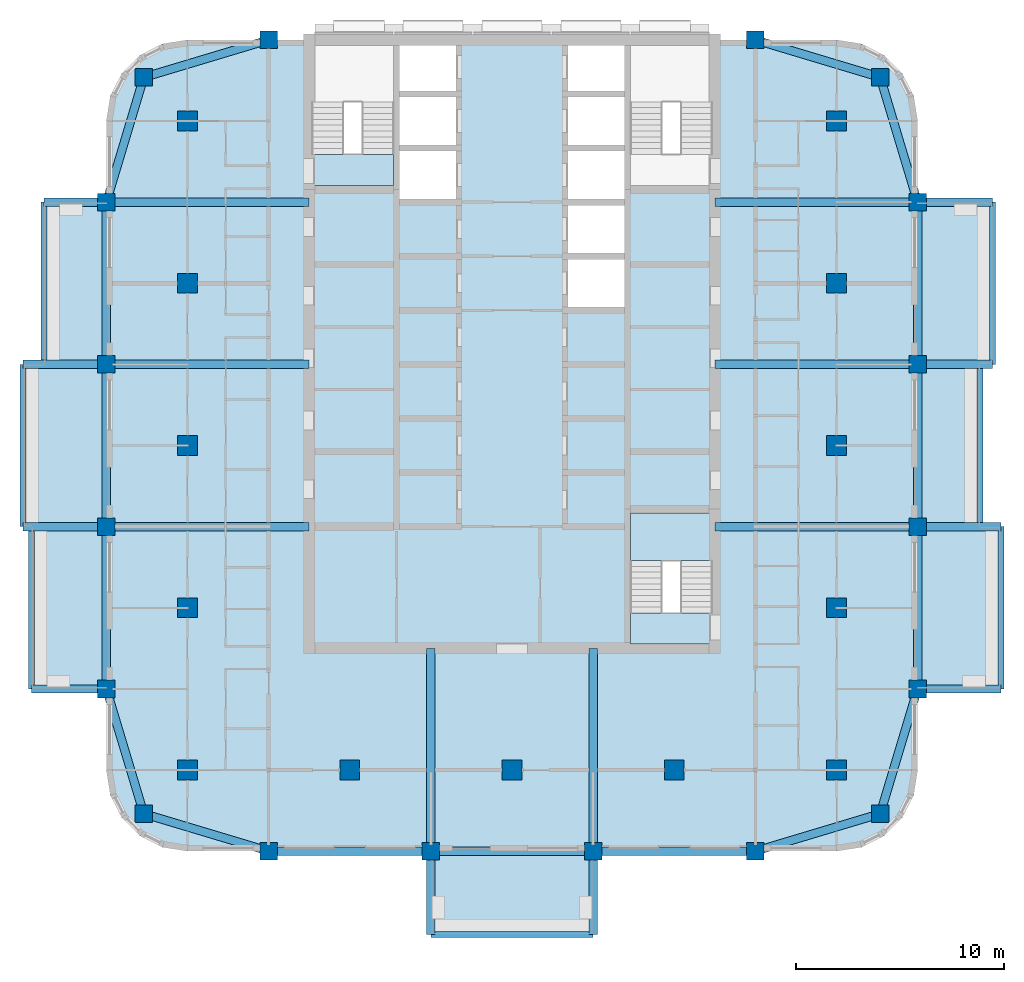
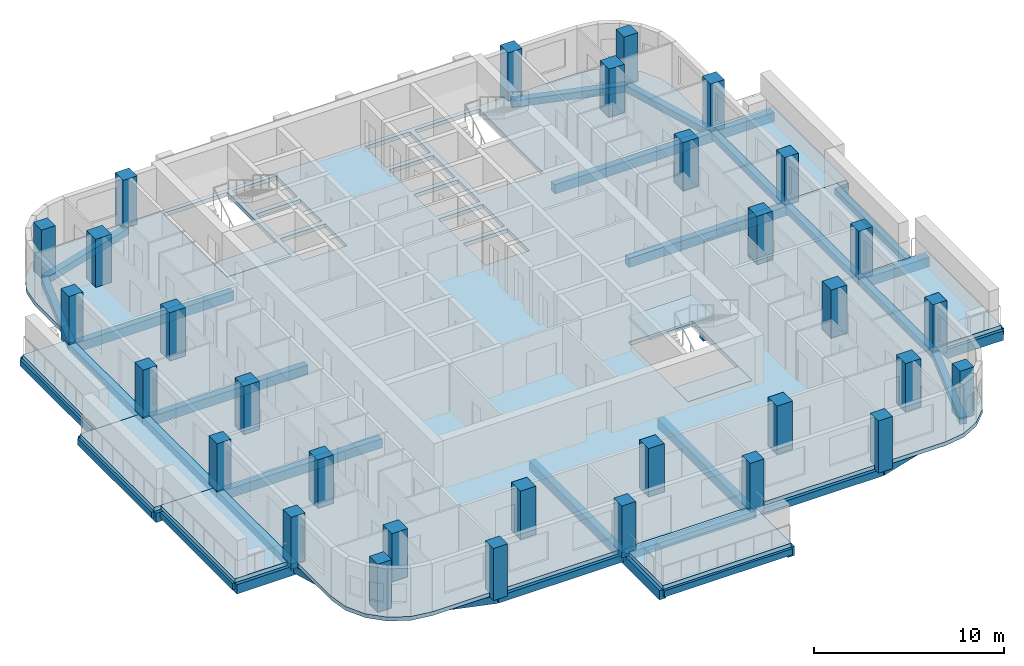
# One storey, part 1 of 14: 42 beams, 31 columns, 11 slabs, 2 elements without a shape of their own.
"""IFC4 building model written with IfcOpenShell, lengths in metres."""

from ifc_helpers import new_model, si_unit, direction, frame, origin, origin_2d, place, context, subcontext, project, spatial, polyline, rectangle, outline, extrude, material, layer, layer_set, material_profile, profile_set, type_object, element, aggregate, save


model = new_model("IFC4")

# Units and contexts
model_context = context("Model", 3, precision=1e-05, world=origin(), true_north=direction((0.0, 1.0)))
body_context = subcontext(model_context, "Body", "Model", "MODEL_VIEW")
ifc_project = project(units=[si_unit("LENGTHUNIT", "METRE"), si_unit("AREAUNIT", "SQUARE_METRE"), si_unit("VOLUMEUNIT", "CUBIC_METRE"), si_unit("PLANEANGLEUNIT", "RADIAN"), si_unit("MASSUNIT", "GRAM", prefix="KILO")], contexts=[model_context])

# Site, building, storey
site_placement = place(None, origin())
site = spatial("IfcSite", under=ifc_project, at=site_placement, CompositionType="ELEMENT")
building_placement = place(site_placement, origin())
building = spatial("IfcBuilding", under=site, at=building_placement, Name="Ludao Terraces", CompositionType="ELEMENT")
storey_placement = place(building_placement, frame((0.0, 0.0, 140.699951171875)))
storey = spatial("IfcBuildingStorey", under=building, at=storey_placement, Name="L38", CompositionType="ELEMENT", Elevation=140.699951171875)

# Columns
ifc_material_1 = material(Name="Concrete C50", Category="concrete")
ifc_material_profile_1 = material_profile(ifc_material_1, rectangle(XDim=0.85009765625, YDim=0.85009765625, at=origin_2d()), Name="850 X 850")
ifc_profile_set_1 = profile_set([ifc_material_profile_1], Name="Concrete C50")
column_type_1 = type_object("IfcColumnType", Name="RC column 850x850 C50", PredefinedType="COLUMN", material=ifc_profile_set_1)
for number, where, z_axis, x_axis, name in (
    (1, (67.300048828125, 47.300048828125, -0.25), (0.0, 0.0, 1.0), (1.0, 0.0, 0.0), "Column L38 C0057x0057"),
    (2, (102.699951171875, 47.300048828125, -0.25), (0.0, 0.0, 1.0), (1.0, 0.0, 0.0), "Column L38 C0411x0057"),
    (3, (67.300048828125, 82.699951171875, -0.25), (0.0, 0.0, 1.0), (1.0, 0.0, 0.0), "Column L38 C0057x0411"),
    (4, (102.699951171875, 82.699951171875, -0.25), (0.0, 0.0, 1.0), (1.0, 0.0, 0.0), "Column L38 C0411x0411"),
    (5, (65.5, 53.300048828125, -0.25), (0.0, 0.0, 1.0), (1.0, 0.0, 0.0), "Column L38 W0039x0117"),
    (6, (104.5, 53.300048828125, -0.25), (0.0, 0.0, 1.0), (1.0, 0.0, 0.0), "Column L38 W0429x0117"),
    (7, (73.300048828125, 45.5, -0.25), (0.0, 0.0, 1.0), (1.0, 0.0, 0.0), "Column L38 W0117x0039"),
    (8, (73.300048828125, 84.5, -0.25), (0.0, 0.0, 1.0), (1.0, 0.0, 0.0), "Column L38 W0117x0429"),
    (9, (65.5, 61.10009765625, -0.25), (0.0, 0.0, 1.0), (1.0, 0.0, 0.0), "Column L38 W0039x0195"),
    (10, (104.5, 61.10009765625, -0.25), (0.0, 0.0, 1.0), (1.0, 0.0, 0.0), "Column L38 W0429x0195"),
    (11, (81.10009765625, 45.5, -0.25), (0.0, 0.0, 1.0), (1.0, 0.0, 0.0), "Column L38 W0195x0039"),
    (12, (65.5, 68.89990234375, -0.25), (0.0, 0.0, 1.0), (1.0, 0.0, 0.0), "Column L38 W0039x0273"),
    (13, (104.5, 68.89990234375, -0.25), (0.0, 0.0, 1.0), (1.0, 0.0, 0.0), "Column L38 W0429x0273"),
    (14, (88.89990234375, 45.5, -0.25), (0.0, 0.0, 1.0), (1.0, 0.0, 0.0), "Column L38 W0273x0039"),
    (15, (65.5, 76.699951171875, -0.25), (0.0, 0.0, 1.0), (1.0, 0.0, 0.0), "Column L38 W0039x0351"),
    (16, (104.5, 76.699951171875, -0.25), (0.0, 0.0, 1.0), (1.0, 0.0, 0.0), "Column L38 W0429x0351"),
    (17, (96.699951171875, 45.5, -0.25), (0.0, 0.0, 1.0), (1.0, 0.0, 0.0), "Column L38 W0351x0039"),
    (18, (96.699951171875, 84.5, -0.25), (0.0, 0.0, 1.0), (1.0, 0.0, 0.0), "Column L38 W0351x0429"),
):
    element("IfcColumn", number, at=place(storey_placement, frame(where, z_axis=z_axis, x_axis=x_axis)), inside=storey, type_object=column_type_1, Name=name, PredefinedType="COLUMN", context=body_context, shape_type="SweptSolid", body=[
        extrude(rectangle(XDim=0.85009765625, YDim=0.85009765625, at=origin_2d()), origin(), (0.0, 0.0, 1.0), 3.35009765625),
    ])
ifc_material_profile_2 = material_profile(ifc_material_1, rectangle(XDim=0.949951171875, YDim=0.949951171875, at=origin_2d()), Name="950 X 950")
ifc_profile_set_2 = profile_set([ifc_material_profile_2], Name="Concrete C50")
column_type_2 = type_object("IfcColumnType", Name="RC column 950x950 C50", PredefinedType="COLUMN", material=ifc_profile_set_2)
for number, where, z_axis, x_axis, name in (
    (19, (69.39990234375, 49.39990234375, -0.25), (0.0, 0.0, 1.0), (1.0, 0.0, 0.0), "Column L38 S0078x0078"),
    (20, (69.39990234375, 57.199951171875, -0.25), (0.0, 0.0, 1.0), (1.0, 0.0, 0.0), "Column L38 S0078x0156"),
    (21, (69.39990234375, 65.0, -0.25), (0.0, 0.0, 1.0), (1.0, 0.0, 0.0), "Column L38 S0078x0234"),
    (22, (69.39990234375, 72.800048828125, -0.25), (0.0, 0.0, 1.0), (1.0, 0.0, 0.0), "Column L38 S0078x0312"),
    (23, (69.39990234375, 80.60009765625, -0.25), (0.0, 0.0, 1.0), (1.0, 0.0, 0.0), "Column L38 S0078x0390"),
    (24, (77.199951171875, 49.39990234375, -0.25), (0.0, 0.0, 1.0), (1.0, 0.0, 0.0), "Column L38 S0156x0078"),
    (25, (85.0, 49.39990234375, -0.25), (0.0, 0.0, 1.0), (1.0, 0.0, 0.0), "Column L38 S0234x0078"),
    (26, (92.800048828125, 49.39990234375, -0.25), (0.0, 0.0, 1.0), (1.0, 0.0, 0.0), "Column L38 S0312x0078"),
    (27, (100.60009765625, 49.39990234375, -0.25), (0.0, 0.0, 1.0), (1.0, 0.0, 0.0), "Column L38 S0390x0078"),
    (28, (100.60009765625, 57.199951171875, -0.25), (0.0, 0.0, 1.0), (1.0, 0.0, 0.0), "Column L38 S0390x0156"),
    (29, (100.60009765625, 65.0, -0.25), (0.0, 0.0, 1.0), (1.0, 0.0, 0.0), "Column L38 S0390x0234"),
    (30, (100.60009765625, 72.800048828125, -0.25), (0.0, 0.0, 1.0), (1.0, 0.0, 0.0), "Column L38 S0390x0312"),
    (31, (100.60009765625, 80.60009765625, -0.25), (0.0, 0.0, 1.0), (1.0, 0.0, 0.0), "Column L38 S0390x0390"),
):
    element("IfcColumn", number, at=place(storey_placement, frame(where, z_axis=z_axis, x_axis=x_axis)), inside=storey, type_object=column_type_2, Name=name, PredefinedType="COLUMN", context=body_context, shape_type="SweptSolid", body=[
        extrude(rectangle(XDim=0.949951171875, YDim=0.949951171875, at=origin_2d()), origin(), (0.0, 0.0, 1.0), 3.35009765625),
    ])

# Beams
ifc_material_2 = material(Name="Concrete C40", Category="concrete")
ifc_material_profile_3 = material_profile(ifc_material_2, rectangle(XDim=0.300048828125, YDim=0.39990234375, at=origin_2d()), Name="300 X 400")
ifc_profile_set_3 = profile_set([ifc_material_profile_3], Name="Concrete C40")
beam_type_1 = type_object("IfcBeamType", Name="RC beam 300x400 C40", PredefinedType="BEAM", material=ifc_profile_set_3)
beam_1_placement = place(storey_placement, frame((81.10009765625, 41.5, -0.449951171875), z_axis=(1.0, 0.0, 0.0), x_axis=(0.0, 1.0, 0.0)))
element("IfcBeam", 32, at=beam_1_placement, inside=storey, type_object=beam_type_1, Name="Balcony edge beam L38 S1", PredefinedType="BEAM", context=body_context, shape_type="SweptSolid", body=[
    extrude(rectangle(XDim=0.300048828125, YDim=0.39990234375, at=origin_2d()), origin(), (0.0, 0.0, 1.0), 7.7998046875),
])
beam_2_placement = place(storey_placement, frame((108.5, 53.300048828125, -0.449951171875), z_axis=(0.0, 1.0, 0.0), x_axis=(-1.0, 0.0, 0.0)))
element("IfcBeam", 33, at=beam_2_placement, inside=storey, type_object=beam_type_1, Name="Balcony edge beam L38 E1", PredefinedType="BEAM", context=body_context, shape_type="SweptSolid", body=[
    extrude(rectangle(XDim=0.300048828125, YDim=0.39990234375, at=origin_2d()), origin(), (0.0, 0.0, 1.0), 7.800048828125),
])
beam_3_placement = place(storey_placement, frame((107.5, 61.10009765625, -0.449951171875), z_axis=(0.0, 1.0, 0.0), x_axis=(-1.0, 0.0, 0.0)))
element("IfcBeam", 34, at=beam_3_placement, inside=storey, type_object=beam_type_1, Name="Balcony edge beam L38 E2", PredefinedType="BEAM", context=body_context, shape_type="SweptSolid", body=[
    extrude(rectangle(XDim=0.300048828125, YDim=0.39990234375, at=origin_2d()), origin(), (0.0, 0.0, 1.0), 7.7998046875),
])
for number, where, z_axis, x_axis, name in (
    (35, (108.10009765625, 68.89990234375, -0.449951171875), (0.0, 1.0, 0.0), (-1.0, 0.0, 0.0), "Balcony edge beam L38 E3"),
    (36, (61.89990234375, 53.300048828125, -0.449951171875), (0.0, 1.0, 0.0), (-1.0, 0.0, 0.0), "Balcony edge beam L38 W1"),
):
    element("IfcBeam", number, at=place(storey_placement, frame(where, z_axis=z_axis, x_axis=x_axis)), inside=storey, type_object=beam_type_1, Name=name, PredefinedType="BEAM", context=body_context, shape_type="SweptSolid", body=[
        extrude(rectangle(XDim=0.300048828125, YDim=0.39990234375, at=origin_2d()), origin(), (0.0, 0.0, 1.0), 7.800048828125),
    ])
beam_4_placement = place(storey_placement, frame((61.5, 61.10009765625, -0.449951171875), z_axis=(0.0, 1.0, 0.0), x_axis=(-1.0, 0.0, 0.0)))
element("IfcBeam", 37, at=beam_4_placement, inside=storey, type_object=beam_type_1, Name="Balcony edge beam L38 W2", PredefinedType="BEAM", context=body_context, shape_type="SweptSolid", body=[
    extrude(rectangle(XDim=0.300048828125, YDim=0.39990234375, at=origin_2d()), origin(), (0.0, 0.0, 1.0), 7.7998046875),
])
beam_5_placement = place(storey_placement, frame((62.5, 68.89990234375, -0.449951171875), z_axis=(0.0, 1.0, 0.0), x_axis=(-1.0, 0.0, 0.0)))
element("IfcBeam", 38, at=beam_5_placement, inside=storey, type_object=beam_type_1, Name="Balcony edge beam L38 W3", PredefinedType="BEAM", context=body_context, shape_type="SweptSolid", body=[
    extrude(rectangle(XDim=0.300048828125, YDim=0.39990234375, at=origin_2d()), origin(), (0.0, 0.0, 1.0), 7.800048828125),
])
ifc_material_profile_4 = material_profile(ifc_material_2, rectangle(XDim=0.39990234375, YDim=0.449951171875, at=origin_2d()), Name="400 X 450")
ifc_profile_set_4 = profile_set([ifc_material_profile_4], Name="Concrete C40")
beam_type_2 = type_object("IfcBeamType", Name="RC beam 400x450 C40", PredefinedType="BEAM", material=ifc_profile_set_4)
beam_6_placement = place(storey_placement, frame((67.300048828125, 47.300048828125, -0.474853515625), z_axis=(0.957824139839, -0.287355036744, 0.0), x_axis=(0.287355036744, 0.957824139839, 0.0)))
element("IfcBeam", 39, at=beam_6_placement, inside=storey, type_object=beam_type_2, Name="Spandrel beam L38 S1", PredefinedType="BEAM", context=body_context, shape_type="SweptSolid", body=[
    extrude(rectangle(XDim=0.39990234375, YDim=0.449951171875, at=origin_2d()), origin(), (0.0, 0.0, 1.0), 6.26416015625),
])
beam_7_placement = place(storey_placement, frame((73.300048828125, 45.5, -0.474853515625), z_axis=(1.0, 0.0, 0.0), x_axis=(0.0, 1.0, 0.0)))
element("IfcBeam", 40, at=beam_7_placement, inside=storey, type_object=beam_type_2, Name="Spandrel beam L38 S2", PredefinedType="BEAM", context=body_context, shape_type="SweptSolid", body=[
    extrude(rectangle(XDim=0.39990234375, YDim=0.449951171875, at=origin_2d()), origin(), (0.0, 0.0, 1.0), 7.800048828125),
])
beam_8_placement = place(storey_placement, frame((81.10009765625, 45.5, -0.474853515625), z_axis=(1.0, 0.0, 0.0), x_axis=(0.0, 1.0, 0.0)))
element("IfcBeam", 41, at=beam_8_placement, inside=storey, type_object=beam_type_2, Name="Spandrel beam L38 S3", PredefinedType="BEAM", context=body_context, shape_type="SweptSolid", body=[
    extrude(rectangle(XDim=0.39990234375, YDim=0.449951171875, at=origin_2d()), origin(), (0.0, 0.0, 1.0), 7.7998046875),
])
beam_9_placement = place(storey_placement, frame((88.89990234375, 45.5, -0.474853515625), z_axis=(1.0, 0.0, 0.0), x_axis=(0.0, 1.0, 0.0)))
element("IfcBeam", 42, at=beam_9_placement, inside=storey, type_object=beam_type_2, Name="Spandrel beam L38 S4", PredefinedType="BEAM", context=body_context, shape_type="SweptSolid", body=[
    extrude(rectangle(XDim=0.39990234375, YDim=0.449951171875, at=origin_2d()), origin(), (0.0, 0.0, 1.0), 7.800048828125),
])
for number, where, z_axis, x_axis, name in (
    (43, (96.699951171875, 45.5, -0.474853515625), (0.957824139839, 0.287355036744, 0.0), (-0.287355036744, 0.957824139839, 0.0), "Spandrel beam L38 S5"),
    (44, (67.300048828125, 82.699951171875, -0.474853515625), (0.957824139839, 0.287355036744, 0.0), (-0.287355036744, 0.957824139839, 0.0), "Spandrel beam L38 N6"),
    (45, (96.699951171875, 84.5, -0.474853515625), (0.957824139839, -0.287355036744, 0.0), (0.287355036744, 0.957824139839, 0.0), "Spandrel beam L38 N7"),
    (46, (67.300048828125, 47.300048828125, -0.474853515625), (-0.287355036744, 0.957824139839, 0.0), (-0.957824139839, -0.287355036744, 0.0), "Spandrel beam L38 W8"),
):
    element("IfcBeam", number, at=place(storey_placement, frame(where, z_axis=z_axis, x_axis=x_axis)), inside=storey, type_object=beam_type_2, Name=name, PredefinedType="BEAM", context=body_context, shape_type="SweptSolid", body=[
        extrude(rectangle(XDim=0.39990234375, YDim=0.449951171875, at=origin_2d()), origin(), (0.0, 0.0, 1.0), 6.26416015625),
    ])
beam_10_placement = place(storey_placement, frame((65.5, 53.300048828125, -0.474853515625), z_axis=(0.0, 1.0, 0.0), x_axis=(-1.0, 0.0, 0.0)))
element("IfcBeam", 47, at=beam_10_placement, inside=storey, type_object=beam_type_2, Name="Spandrel beam L38 W9", PredefinedType="BEAM", context=body_context, shape_type="SweptSolid", body=[
    extrude(rectangle(XDim=0.39990234375, YDim=0.449951171875, at=origin_2d()), origin(), (0.0, 0.0, 1.0), 7.800048828125),
])
beam_11_placement = place(storey_placement, frame((65.5, 61.10009765625, -0.474853515625), z_axis=(0.0, 1.0, 0.0), x_axis=(-1.0, 0.0, 0.0)))
element("IfcBeam", 48, at=beam_11_placement, inside=storey, type_object=beam_type_2, Name="Spandrel beam L38 W10", PredefinedType="BEAM", context=body_context, shape_type="SweptSolid", body=[
    extrude(rectangle(XDim=0.39990234375, YDim=0.449951171875, at=origin_2d()), origin(), (0.0, 0.0, 1.0), 7.7998046875),
])
beam_12_placement = place(storey_placement, frame((65.5, 68.89990234375, -0.474853515625), z_axis=(0.0, 1.0, 0.0), x_axis=(-1.0, 0.0, 0.0)))
element("IfcBeam", 49, at=beam_12_placement, inside=storey, type_object=beam_type_2, Name="Spandrel beam L38 W11", PredefinedType="BEAM", context=body_context, shape_type="SweptSolid", body=[
    extrude(rectangle(XDim=0.39990234375, YDim=0.449951171875, at=origin_2d()), origin(), (0.0, 0.0, 1.0), 7.800048828125),
])
for number, where, z_axis, x_axis, name in (
    (50, (65.5, 76.699951171875, -0.474853515625), (0.287355036744, 0.957824139839, 0.0), (-0.957824139839, 0.287355036744, 0.0), "Spandrel beam L38 W12"),
    (51, (102.699951171875, 47.300048828125, -0.474853515625), (0.287355036744, 0.957824139839, 0.0), (-0.957824139839, 0.287355036744, 0.0), "Spandrel beam L38 E13"),
):
    element("IfcBeam", number, at=place(storey_placement, frame(where, z_axis=z_axis, x_axis=x_axis)), inside=storey, type_object=beam_type_2, Name=name, PredefinedType="BEAM", context=body_context, shape_type="SweptSolid", body=[
        extrude(rectangle(XDim=0.39990234375, YDim=0.449951171875, at=origin_2d()), origin(), (0.0, 0.0, 1.0), 6.26416015625),
    ])
beam_13_placement = place(storey_placement, frame((104.5, 53.300048828125, -0.474853515625), z_axis=(0.0, 1.0, 0.0), x_axis=(-1.0, 0.0, 0.0)))
element("IfcBeam", 52, at=beam_13_placement, inside=storey, type_object=beam_type_2, Name="Spandrel beam L38 E14", PredefinedType="BEAM", context=body_context, shape_type="SweptSolid", body=[
    extrude(rectangle(XDim=0.39990234375, YDim=0.449951171875, at=origin_2d()), origin(), (0.0, 0.0, 1.0), 7.800048828125),
])
beam_14_placement = place(storey_placement, frame((104.5, 61.10009765625, -0.474853515625), z_axis=(0.0, 1.0, 0.0), x_axis=(-1.0, 0.0, 0.0)))
element("IfcBeam", 53, at=beam_14_placement, inside=storey, type_object=beam_type_2, Name="Spandrel beam L38 E15", PredefinedType="BEAM", context=body_context, shape_type="SweptSolid", body=[
    extrude(rectangle(XDim=0.39990234375, YDim=0.449951171875, at=origin_2d()), origin(), (0.0, 0.0, 1.0), 7.7998046875),
])
beam_15_placement = place(storey_placement, frame((104.5, 68.89990234375, -0.474853515625), z_axis=(0.0, 1.0, 0.0), x_axis=(-1.0, 0.0, 0.0)))
element("IfcBeam", 54, at=beam_15_placement, inside=storey, type_object=beam_type_2, Name="Spandrel beam L38 E16", PredefinedType="BEAM", context=body_context, shape_type="SweptSolid", body=[
    extrude(rectangle(XDim=0.39990234375, YDim=0.449951171875, at=origin_2d()), origin(), (0.0, 0.0, 1.0), 7.800048828125),
])
beam_16_placement = place(storey_placement, frame((104.5, 76.699951171875, -0.474853515625), z_axis=(-0.287355036744, 0.957824139839, 0.0), x_axis=(-0.957824139839, -0.287355036744, 0.0)))
element("IfcBeam", 55, at=beam_16_placement, inside=storey, type_object=beam_type_2, Name="Spandrel beam L38 E17", PredefinedType="BEAM", context=body_context, shape_type="SweptSolid", body=[
    extrude(rectangle(XDim=0.39990234375, YDim=0.449951171875, at=origin_2d()), origin(), (0.0, 0.0, 1.0), 6.26416015625),
])
ifc_material_profile_5 = material_profile(ifc_material_2, rectangle(XDim=0.39990234375, YDim=0.60009765625, at=origin_2d()), Name="400 X 600")
ifc_profile_set_5 = profile_set([ifc_material_profile_5], Name="Concrete C40")
beam_type_3 = type_object("IfcBeamType", Name="RC beam 400x600 C40", PredefinedType="BEAM", material=ifc_profile_set_5)
beam_17_placement = place(storey_placement, frame((104.5, 53.300048828125, -0.550048828125), z_axis=(1.0, 0.0, 0.0), x_axis=(0.0, 1.0, 0.0)))
element("IfcBeam", 56, at=beam_17_placement, inside=storey, type_object=beam_type_3, Name="Balcony beam L38 E533", PredefinedType="BEAM", context=body_context, shape_type="SweptSolid", body=[
    extrude(rectangle(XDim=0.39990234375, YDim=0.60009765625, at=origin_2d()), origin(), (0.0, 0.0, 1.0), 4.0),
])
beam_18_placement = place(storey_placement, frame((94.75, 61.10009765625, -0.550048828125), z_axis=(1.0, 0.0, 0.0), x_axis=(0.0, 1.0, 0.0)))
element("IfcBeam", 57, at=beam_18_placement, inside=storey, type_object=beam_type_3, Name="Balcony beam L38 E611", PredefinedType="BEAM", context=body_context, shape_type="SweptSolid", body=[
    extrude(rectangle(XDim=0.39990234375, YDim=0.60009765625, at=origin_2d()), origin(), (0.0, 0.0, 1.0), 9.75),
])
beam_19_placement = place(storey_placement, frame((104.5, 61.10009765625, -0.550048828125), z_axis=(1.0, 0.0, 0.0), x_axis=(0.0, 1.0, 0.0)))
element("IfcBeam", 58, at=beam_19_placement, inside=storey, type_object=beam_type_3, Name="Balcony beam L38 E611", PredefinedType="BEAM", context=body_context, shape_type="SweptSolid", body=[
    extrude(rectangle(XDim=0.39990234375, YDim=0.60009765625, at=origin_2d()), origin(), (0.0, 0.0, 1.0), 4.0),
])
beam_20_placement = place(storey_placement, frame((94.75, 68.89990234375, -0.550048828125), z_axis=(1.0, 0.0, 0.0), x_axis=(0.0, 1.0, 0.0)))
element("IfcBeam", 59, at=beam_20_placement, inside=storey, type_object=beam_type_3, Name="Balcony beam L38 E689", PredefinedType="BEAM", context=body_context, shape_type="SweptSolid", body=[
    extrude(rectangle(XDim=0.39990234375, YDim=0.60009765625, at=origin_2d()), origin(), (0.0, 0.0, 1.0), 9.75),
])
beam_21_placement = place(storey_placement, frame((104.5, 68.89990234375, -0.550048828125), z_axis=(1.0, 0.0, 0.0), x_axis=(0.0, 1.0, 0.0)))
element("IfcBeam", 60, at=beam_21_placement, inside=storey, type_object=beam_type_3, Name="Balcony beam L38 E689", PredefinedType="BEAM", context=body_context, shape_type="SweptSolid", body=[
    extrude(rectangle(XDim=0.39990234375, YDim=0.60009765625, at=origin_2d()), origin(), (0.0, 0.0, 1.0), 3.60009765625),
])
beam_22_placement = place(storey_placement, frame((94.75, 76.699951171875, -0.550048828125), z_axis=(1.0, 0.0, 0.0), x_axis=(0.0, 1.0, 0.0)))
element("IfcBeam", 61, at=beam_22_placement, inside=storey, type_object=beam_type_3, Name="Balcony beam L38 E767", PredefinedType="BEAM", context=body_context, shape_type="SweptSolid", body=[
    extrude(rectangle(XDim=0.39990234375, YDim=0.60009765625, at=origin_2d()), origin(), (0.0, 0.0, 1.0), 9.75),
])
beam_23_placement = place(storey_placement, frame((104.5, 76.699951171875, -0.550048828125), z_axis=(1.0, 0.0, 0.0), x_axis=(0.0, 1.0, 0.0)))
element("IfcBeam", 62, at=beam_23_placement, inside=storey, type_object=beam_type_3, Name="Balcony beam L38 E767", PredefinedType="BEAM", context=body_context, shape_type="SweptSolid", body=[
    extrude(rectangle(XDim=0.39990234375, YDim=0.60009765625, at=origin_2d()), origin(), (0.0, 0.0, 1.0), 3.60009765625),
])
beam_24_placement = place(storey_placement, frame((81.10009765625, 55.25, -0.550048828125), z_axis=(0.0, -1.0, 0.0), x_axis=(1.0, 0.0, 0.0)))
element("IfcBeam", 63, at=beam_24_placement, inside=storey, type_object=beam_type_3, Name="Balcony beam L38 S811", PredefinedType="BEAM", context=body_context, shape_type="SweptSolid", body=[
    extrude(rectangle(XDim=0.39990234375, YDim=0.60009765625, at=origin_2d()), origin(), (0.0, 0.0, 1.0), 9.75),
])
beam_25_placement = place(storey_placement, frame((81.10009765625, 45.5, -0.550048828125), z_axis=(0.0, -1.0, 0.0), x_axis=(1.0, 0.0, 0.0)))
element("IfcBeam", 64, at=beam_25_placement, inside=storey, type_object=beam_type_3, Name="Balcony beam L38 S811", PredefinedType="BEAM", context=body_context, shape_type="SweptSolid", body=[
    extrude(rectangle(XDim=0.39990234375, YDim=0.60009765625, at=origin_2d()), origin(), (0.0, 0.0, 1.0), 4.0),
])
beam_26_placement = place(storey_placement, frame((88.89990234375, 55.25, -0.550048828125), z_axis=(0.0, -1.0, 0.0), x_axis=(1.0, 0.0, 0.0)))
element("IfcBeam", 65, at=beam_26_placement, inside=storey, type_object=beam_type_3, Name="Balcony beam L38 S889", PredefinedType="BEAM", context=body_context, shape_type="SweptSolid", body=[
    extrude(rectangle(XDim=0.39990234375, YDim=0.60009765625, at=origin_2d()), origin(), (0.0, 0.0, 1.0), 9.75),
])
beam_27_placement = place(storey_placement, frame((88.89990234375, 45.5, -0.550048828125), z_axis=(0.0, -1.0, 0.0), x_axis=(1.0, 0.0, 0.0)))
element("IfcBeam", 66, at=beam_27_placement, inside=storey, type_object=beam_type_3, Name="Balcony beam L38 S889", PredefinedType="BEAM", context=body_context, shape_type="SweptSolid", body=[
    extrude(rectangle(XDim=0.39990234375, YDim=0.60009765625, at=origin_2d()), origin(), (0.0, 0.0, 1.0), 4.0),
])
beam_28_placement = place(storey_placement, frame((65.5, 53.300048828125, -0.550048828125), z_axis=(-1.0, 0.0, 0.0), x_axis=(0.0, -1.0, 0.0)))
element("IfcBeam", 67, at=beam_28_placement, inside=storey, type_object=beam_type_3, Name="Balcony beam L38 W533", PredefinedType="BEAM", context=body_context, shape_type="SweptSolid", body=[
    extrude(rectangle(XDim=0.39990234375, YDim=0.60009765625, at=origin_2d()), origin(), (0.0, 0.0, 1.0), 3.60009765625),
])
beam_29_placement = place(storey_placement, frame((75.25, 61.10009765625, -0.550048828125), z_axis=(-1.0, 0.0, 0.0), x_axis=(0.0, -1.0, 0.0)))
element("IfcBeam", 68, at=beam_29_placement, inside=storey, type_object=beam_type_3, Name="Balcony beam L38 W611", PredefinedType="BEAM", context=body_context, shape_type="SweptSolid", body=[
    extrude(rectangle(XDim=0.39990234375, YDim=0.60009765625, at=origin_2d()), origin(), (0.0, 0.0, 1.0), 9.75),
])
beam_30_placement = place(storey_placement, frame((65.5, 61.10009765625, -0.550048828125), z_axis=(-1.0, 0.0, 0.0), x_axis=(0.0, -1.0, 0.0)))
element("IfcBeam", 69, at=beam_30_placement, inside=storey, type_object=beam_type_3, Name="Balcony beam L38 W611", PredefinedType="BEAM", context=body_context, shape_type="SweptSolid", body=[
    extrude(rectangle(XDim=0.39990234375, YDim=0.60009765625, at=origin_2d()), origin(), (0.0, 0.0, 1.0), 4.0),
])
beam_31_placement = place(storey_placement, frame((75.25, 68.89990234375, -0.550048828125), z_axis=(-1.0, 0.0, 0.0), x_axis=(0.0, -1.0, 0.0)))
element("IfcBeam", 70, at=beam_31_placement, inside=storey, type_object=beam_type_3, Name="Balcony beam L38 W689", PredefinedType="BEAM", context=body_context, shape_type="SweptSolid", body=[
    extrude(rectangle(XDim=0.39990234375, YDim=0.60009765625, at=origin_2d()), origin(), (0.0, 0.0, 1.0), 9.75),
])
beam_32_placement = place(storey_placement, frame((65.5, 68.89990234375, -0.550048828125), z_axis=(-1.0, 0.0, 0.0), x_axis=(0.0, -1.0, 0.0)))
element("IfcBeam", 71, at=beam_32_placement, inside=storey, type_object=beam_type_3, Name="Balcony beam L38 W689", PredefinedType="BEAM", context=body_context, shape_type="SweptSolid", body=[
    extrude(rectangle(XDim=0.39990234375, YDim=0.60009765625, at=origin_2d()), origin(), (0.0, 0.0, 1.0), 4.0),
])
beam_33_placement = place(storey_placement, frame((75.25, 76.699951171875, -0.550048828125), z_axis=(-1.0, 0.0, 0.0), x_axis=(0.0, -1.0, 0.0)))
element("IfcBeam", 72, at=beam_33_placement, inside=storey, type_object=beam_type_3, Name="Balcony beam L38 W767", PredefinedType="BEAM", context=body_context, shape_type="SweptSolid", body=[
    extrude(rectangle(XDim=0.39990234375, YDim=0.60009765625, at=origin_2d()), origin(), (0.0, 0.0, 1.0), 9.75),
])
beam_34_placement = place(storey_placement, frame((65.5, 76.699951171875, -0.550048828125), z_axis=(-1.0, 0.0, 0.0), x_axis=(0.0, -1.0, 0.0)))
element("IfcBeam", 73, at=beam_34_placement, inside=storey, type_object=beam_type_3, Name="Balcony beam L38 W767", PredefinedType="BEAM", context=body_context, shape_type="SweptSolid", body=[
    extrude(rectangle(XDim=0.39990234375, YDim=0.60009765625, at=origin_2d()), origin(), (0.0, 0.0, 1.0), 3.0),
])

# Slabs
ifc_layer_1 = layer(ifc_material_2, 0.25)
ifc_layer_set_1 = layer_set([ifc_layer_1], Name="Balcony slab 250 C40")
slab_type_1 = type_object("IfcSlabType", Name="Balcony slab 250 C40", PredefinedType="USERDEFINED", material=ifc_layer_set_1)
slab_1_placement = place(storey_placement, frame((0.0, 0.0, -0.25)))
element("IfcSlab", 74, at=slab_1_placement, inside=storey, type_object=slab_type_1, Name="Balcony L38 S1", ObjectType="BALCONY", PredefinedType="USERDEFINED", context=body_context, shape_type="SweptSolid", body=[
    extrude(outline(polyline([(81.10009765625, 41.5), (88.89990234375, 41.5), (88.89990234375, 45.5), (81.10009765625, 45.5), (81.10009765625, 41.5)])), origin(), (0.0, 0.0, 1.0), 0.25),
])
slab_2_placement = place(storey_placement, frame((0.0, 0.0, -0.25)))
element("IfcSlab", 75, at=slab_2_placement, inside=storey, type_object=slab_type_1, Name="Balcony L38 E1", ObjectType="BALCONY", PredefinedType="USERDEFINED", context=body_context, shape_type="SweptSolid", body=[
    extrude(outline(polyline([(104.5, 53.300048828125), (108.5, 53.300048828125), (108.5, 61.10009765625), (104.5, 61.10009765625), (104.5, 53.300048828125)])), origin(), (0.0, 0.0, 1.0), 0.25),
])
slab_3_placement = place(storey_placement, frame((0.0, 0.0, -0.25)))
element("IfcSlab", 76, at=slab_3_placement, inside=storey, type_object=slab_type_1, Name="Balcony L38 E2", ObjectType="BALCONY", PredefinedType="USERDEFINED", context=body_context, shape_type="SweptSolid", body=[
    extrude(outline(polyline([(104.5, 61.10009765625), (107.5, 61.10009765625), (107.5, 68.89990234375), (104.5, 68.89990234375), (104.5, 61.10009765625)])), origin(), (0.0, 0.0, 1.0), 0.25),
])
slab_4_placement = place(storey_placement, frame((0.0, 0.0, -0.25)))
element("IfcSlab", 77, at=slab_4_placement, inside=storey, type_object=slab_type_1, Name="Balcony L38 E3", ObjectType="BALCONY", PredefinedType="USERDEFINED", context=body_context, shape_type="SweptSolid", body=[
    extrude(outline(polyline([(104.5, 68.89990234375), (108.10009765625, 68.89990234375), (108.10009765625, 76.699951171875), (104.5, 76.699951171875), (104.5, 68.89990234375)])), origin(), (0.0, 0.0, 1.0), 0.25),
])
slab_5_placement = place(storey_placement, frame((0.0, 0.0, -0.25)))
element("IfcSlab", 78, at=slab_5_placement, inside=storey, type_object=slab_type_1, Name="Balcony L38 W1", ObjectType="BALCONY", PredefinedType="USERDEFINED", context=body_context, shape_type="SweptSolid", body=[
    extrude(outline(polyline([(61.89990234375, 53.300048828125), (65.5, 53.300048828125), (65.5, 61.10009765625), (61.89990234375, 61.10009765625), (61.89990234375, 53.300048828125)])), origin(), (0.0, 0.0, 1.0), 0.25),
])
slab_6_placement = place(storey_placement, frame((0.0, 0.0, -0.25)))
element("IfcSlab", 79, at=slab_6_placement, inside=storey, type_object=slab_type_1, Name="Balcony L38 W2", ObjectType="BALCONY", PredefinedType="USERDEFINED", context=body_context, shape_type="SweptSolid", body=[
    extrude(outline(polyline([(61.5, 61.10009765625), (65.5, 61.10009765625), (65.5, 68.89990234375), (61.5, 68.89990234375), (61.5, 61.10009765625)])), origin(), (0.0, 0.0, 1.0), 0.25),
])
slab_7_placement = place(storey_placement, frame((0.0, 0.0, -0.25)))
element("IfcSlab", 80, at=slab_7_placement, inside=storey, type_object=slab_type_1, Name="Balcony L38 W3", ObjectType="BALCONY", PredefinedType="USERDEFINED", context=body_context, shape_type="SweptSolid", body=[
    extrude(outline(polyline([(62.5, 68.89990234375), (65.5, 68.89990234375), (65.5, 76.699951171875), (62.5, 76.699951171875), (62.5, 68.89990234375)])), origin(), (0.0, 0.0, 1.0), 0.25),
])
ifc_layer_2 = layer(ifc_material_2, 0.25)
ifc_layer_set_2 = layer_set([ifc_layer_2], Name="Floor slab 250 C40")
slab_type_2 = type_object("IfcSlabType", Name="Floor slab 250 C40", PredefinedType="FLOOR", material=ifc_layer_set_2)
slab_8_placement = place(storey_placement, frame((0.0, 0.0, -0.25)))
element("IfcSlab", 81, at=slab_8_placement, inside=storey, type_object=slab_type_2, Name="Slab L38", PredefinedType="FLOOR", context=body_context, shape_type="SweptSolid", body=[
    extrude(outline(polyline([(100.60009765625, 45.5), (101.80517578125, 45.69091796875), (102.892333984375, 46.244873046875), (103.755126953125, 47.107666015625), (104.30908203125, 48.19482421875), (104.5, 49.39990234375), (104.5, 80.60009765625), (104.30908203125, 81.80517578125), (103.755126953125, 82.892333984375), (102.892333984375, 83.755126953125), (101.80517578125, 84.30908203125), (100.60009765625, 84.5), (69.39990234375, 84.5), (68.19482421875, 84.30908203125), (67.107666015625, 83.755126953125), (66.244873046875, 82.892333984375), (65.69091796875, 81.80517578125), (65.5, 80.60009765625), (65.5, 49.39990234375), (65.69091796875, 48.19482421875), (66.244873046875, 47.107666015625), (67.107666015625, 46.244873046875), (68.19482421875, 45.69091796875), (69.39990234375, 45.5), (100.60009765625, 45.5)]), holes=[polyline([(79.60009765625, 76.85009765625), (82.300048828125, 76.85009765625), (82.300048828125, 79.14990234375), (79.60009765625, 79.14990234375), (79.60009765625, 76.85009765625)]), polyline([(79.60009765625, 79.449951171875), (82.300048828125, 79.449951171875), (82.300048828125, 81.75), (79.60009765625, 81.75), (79.60009765625, 79.449951171875)]), polyline([(79.60009765625, 82.050048828125), (82.300048828125, 82.050048828125), (82.300048828125, 84.239990234375), (79.60009765625, 84.239990234375), (79.60009765625, 82.050048828125)]), polyline([(87.699951171875, 71.64990234375), (90.39990234375, 71.64990234375), (90.39990234375, 73.949951171875), (87.699951171875, 73.949951171875), (87.699951171875, 71.64990234375)]), polyline([(87.699951171875, 74.25), (90.39990234375, 74.25), (90.39990234375, 76.550048828125), (87.699951171875, 76.550048828125), (87.699951171875, 74.25)]), polyline([(87.699951171875, 76.85009765625), (90.39990234375, 76.85009765625), (90.39990234375, 79.14990234375), (87.699951171875, 79.14990234375), (87.699951171875, 76.85009765625)]), polyline([(87.699951171875, 79.449951171875), (90.39990234375, 79.449951171875), (90.39990234375, 81.75), (87.699951171875, 81.75), (87.699951171875, 79.449951171875)]), polyline([(87.699951171875, 82.050048828125), (90.39990234375, 82.050048828125), (90.39990234375, 84.239990234375), (87.699951171875, 84.239990234375), (87.699951171875, 82.050048828125)]), polyline([(75.39990234375, 77.5), (79.300048828125, 77.5), (79.300048828125, 84.239990234375), (75.39990234375, 84.239990234375), (75.39990234375, 77.5)]), polyline([(90.699951171875, 77.5), (94.60009765625, 77.5), (94.60009765625, 84.239990234375), (90.699951171875, 84.239990234375), (90.699951171875, 77.5)]), polyline([(90.699951171875, 55.449951171875), (94.60009765625, 55.449951171875), (94.60009765625, 61.75), (90.699951171875, 61.75), (90.699951171875, 55.449951171875)])]), origin(), (0.0, 0.0, 1.0), 0.25),
])

# Stair, slab
stair_type = type_object("IfcStairType", Name="INT Stair", PredefinedType="HALF_TURN_STAIR", material=ifc_material_2)
stair_1_placement = place(storey_placement, origin())
stair_1 = element("IfcStair", 82, at=stair_1_placement, inside=storey, type_object=stair_type, Name="EXIT STAIR 1", PredefinedType="HALF_TURN_STAIR")
ifc_layer_3 = layer(ifc_material_2, 0.199951171875)
ifc_layer_set_3 = layer_set([ifc_layer_3], Name="INT Stair landing 200")
slab_type_3 = type_object("IfcSlabType", Name="INT Stair landing 200", PredefinedType="LANDING", material=ifc_layer_set_3)
slab_9_placement = place(storey_placement, frame((0.0, 0.0, -0.199951171875)))
slab_9 = element("IfcSlab", 83, at=slab_9_placement, type_object=slab_type_3, Name="ST1 landing 2", PredefinedType="LANDING", context=body_context, shape_type="SweptSolid", body=[
    extrude(outline(polyline([(75.39990234375, 77.5), (79.300048828125, 77.5), (79.300048828125, 79.0), (75.39990234375, 79.0), (75.39990234375, 77.5)])), origin(), (0.0, 0.0, 1.0), 0.199951171875),
])
aggregate(stair_1, [slab_9])

# Stair, slabs
stair_2_placement = place(storey_placement, origin())
stair_2 = element("IfcStair", 84, at=stair_2_placement, inside=storey, type_object=stair_type, Name="EXIT STAIR 3", PredefinedType="HALF_TURN_STAIR")
slab_10_placement = place(storey_placement, frame((0.0, 0.0, 1.5)))
slab_10 = element("IfcSlab", 85, at=slab_10_placement, type_object=slab_type_3, Name="ST3 landing 1", PredefinedType="LANDING", context=body_context, shape_type="SweptSolid", body=[
    extrude(outline(polyline([(90.699951171875, 59.469970703125), (94.60009765625, 59.469970703125), (94.60009765625, 61.75), (90.699951171875, 61.75), (90.699951171875, 59.469970703125)])), origin(), (0.0, 0.0, 1.0), 0.199951171875),
])
slab_11_placement = place(storey_placement, frame((0.0, 0.0, -0.199951171875)))
slab_11 = element("IfcSlab", 86, at=slab_11_placement, type_object=slab_type_3, Name="ST3 landing 2", PredefinedType="LANDING", context=body_context, shape_type="SweptSolid", body=[
    extrude(outline(polyline([(90.699951171875, 55.449951171875), (94.60009765625, 55.449951171875), (94.60009765625, 56.949951171875), (90.699951171875, 56.949951171875), (90.699951171875, 55.449951171875)])), origin(), (0.0, 0.0, 1.0), 0.199951171875),
])
aggregate(stair_2, [slab_10, slab_11])

save(model, "model.ifc")
